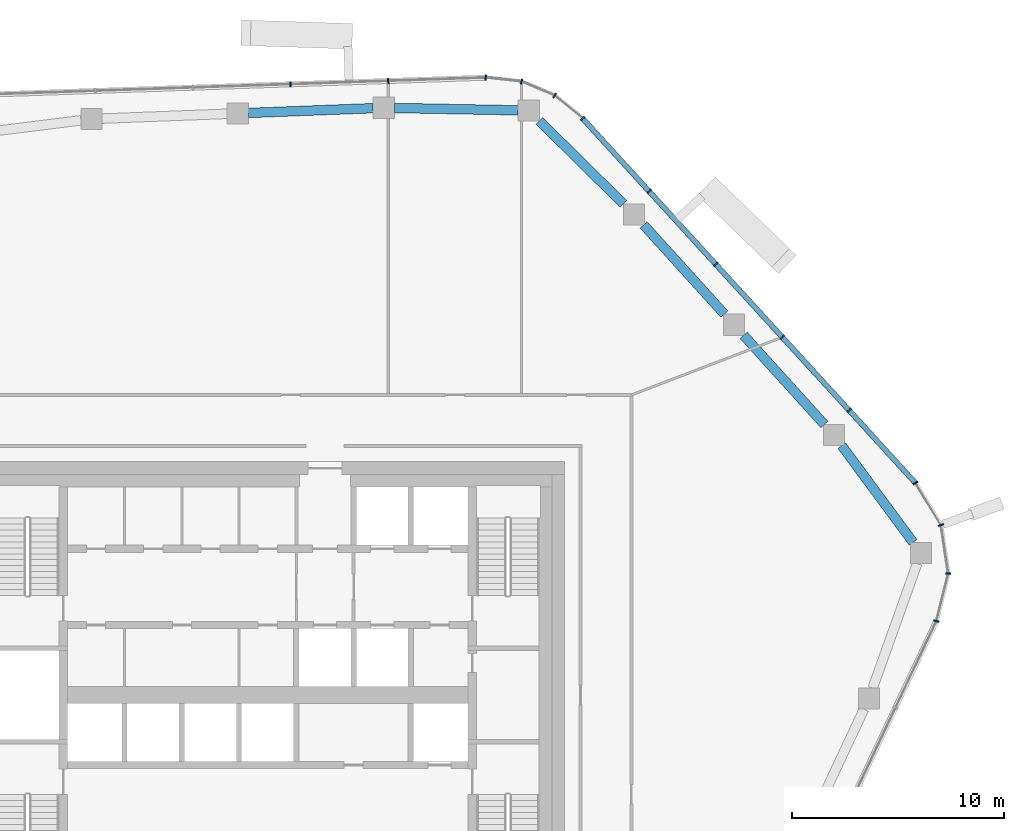
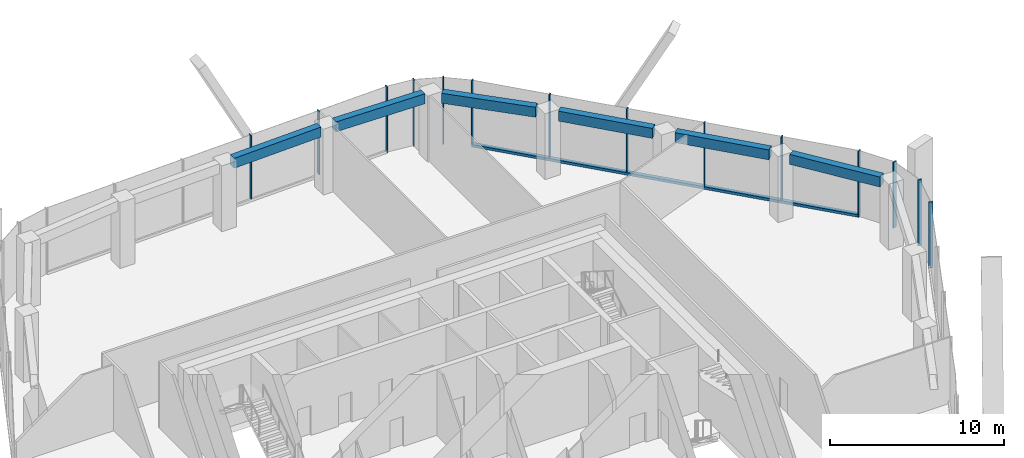
# One storey, part 7 of 20: 15 members, 6 beams, 4 elements without a shape of their own.
"""IFC4 building model written with IfcOpenShell, lengths in metres."""

from ifc_helpers import new_model, si_unit, direction, frame, origin, origin_2d, place, context, subcontext, project, spatial, rectangle, extrude, material, layer, layer_set, material_profile, profile_set, type_object, element, aggregate, save


model = new_model("IFC4")

# Units and contexts
model_context = context("Model", 3, precision=1e-05, world=origin(), true_north=direction((0.0, 1.0)))
body_context = subcontext(model_context, "Body", "Model", "MODEL_VIEW")
ifc_project = project(units=[si_unit("LENGTHUNIT", "METRE"), si_unit("AREAUNIT", "SQUARE_METRE"), si_unit("VOLUMEUNIT", "CUBIC_METRE"), si_unit("PLANEANGLEUNIT", "RADIAN"), si_unit("MASSUNIT", "GRAM", prefix="KILO")], contexts=[model_context])

# Site, building, storey
site_placement = place(None, origin())
site = spatial("IfcSite", under=ifc_project, at=site_placement, CompositionType="ELEMENT")
building_placement = place(site_placement, origin())
building = spatial("IfcBuilding", under=site, at=building_placement, Name="Dongbaek Canopy Tower", CompositionType="ELEMENT")
storey_placement = place(building_placement, frame((0.0, 0.0, 289.199951171875)))
storey = spatial("IfcBuildingStorey", under=building, at=storey_placement, Name="L61", CompositionType="ELEMENT", Elevation=289.199951171875)

# Curtain wall, members
ifc_material_1 = material(Name="Aluminium 6063-T6 pale anodised", Category="aluminium")
ifc_layer = layer(ifc_material_1, 0.25)
ifc_layer_set = layer_set([ifc_layer], Name="CW-4 sky-lobby curtain wall")
curtain_wall_type = type_object("IfcCurtainWallType", Name="CW-4 sky-lobby curtain wall", PredefinedType="NOTDEFINED", material=ifc_layer_set)
curtain_wall_1_placement = place(storey_placement, origin())
curtain_wall_1 = element("IfcCurtainWall", 1, at=curtain_wall_1_placement, inside=storey, type_object=curtain_wall_type, Name="CW-4 curtain wall K0.1", PredefinedType="NOTDEFINED")
ifc_material_2 = material(Name="Aluminium 6063-T6 pale anodised", Category="aluminium")
ifc_material_profile_1 = material_profile(ifc_material_2, rectangle(XDim=0.25, YDim=0.070068359375, at=origin_2d()), Name="CW-4 mullion 70 x 250")
ifc_profile_set_1 = profile_set([ifc_material_profile_1], Name="Aluminium 6063-T6 pale anodised")
member_type_1 = type_object("IfcMemberType", Name="CW-4 mullion 70 x 250", PredefinedType="MULLION", material=ifc_profile_set_1)
member_1_placement = place(storey_placement, frame((31.53271484375, 3.484375, 0.0), z_axis=(0.0, 0.0, 1.0), x_axis=(0.970361874221, -0.241656435998, 0.0)))
member_1 = element("IfcMember", 2, at=member_1_placement, type_object=member_type_1, Name="CW-4 mullion K0.1.1", PredefinedType="MULLION", context=body_context, shape_type="SweptSolid", body=[
    extrude(rectangle(XDim=0.25, YDim=0.070068359375, at=origin_2d()), origin(), (0.0, 0.0, 1.0), 4.6201171875),
])
member_2_placement = place(storey_placement, frame((32.092529296875, 5.732421875, 0.0), z_axis=(0.0, 0.0, 1.0), x_axis=(0.998883799828, -0.047235097565, 0.0)))
member_2 = element("IfcMember", 3, at=member_2_placement, type_object=member_type_1, Name="CW-4 mullion K0.1.2", PredefinedType="MULLION", context=body_context, shape_type="SweptSolid", body=[
    extrude(rectangle(XDim=0.25, YDim=0.070068359375, at=origin_2d()), origin(), (0.0, 0.0, 1.0), 4.6201171875),
])
member_3_placement = place(storey_placement, frame((31.748779296875, 8.013427734375, 0.0), z_axis=(0.0, 0.0, 1.0), x_axis=(0.940605469916, 0.339501619971, 0.0)))
member_3 = element("IfcMember", 4, at=member_3_placement, type_object=member_type_1, Name="CW-4 mullion K0.1.3", PredefinedType="MULLION", context=body_context, shape_type="SweptSolid", body=[
    extrude(rectangle(XDim=0.25, YDim=0.070068359375, at=origin_2d()), origin(), (0.0, 0.0, 1.0), 4.6201171875),
])
member_4_placement = place(storey_placement, frame((30.55126953125, 9.996826171875, 0.0), z_axis=(0.0, 0.0, 1.0), x_axis=(0.856055524699, 0.51688387345, 0.0)))
member_4 = element("IfcMember", 5, at=member_4_placement, type_object=member_type_1, Name="CW-4 mullion K0.1.4", PredefinedType="MULLION", context=body_context, shape_type="SweptSolid", body=[
    extrude(rectangle(XDim=0.25, YDim=0.070068359375, at=origin_2d()), origin(), (0.0, 0.0, 1.0), 4.6201171875),
])
aggregate(curtain_wall_1, [member_1, member_2, member_3, member_4])

curtain_wall_2_placement = place(storey_placement, origin())
curtain_wall_2 = element("IfcCurtainWall", 6, at=curtain_wall_2_placement, inside=storey, type_object=curtain_wall_type, Name="CW-4 curtain wall F0.1", PredefinedType="NOTDEFINED")
member_5_placement = place(storey_placement, frame((27.4150390625, 13.431396484375, 0.179931640625), z_axis=(0.0, 0.0, 1.0), x_axis=(0.738450573044, 0.674307608715, 0.0)))
member_5 = element("IfcMember", 7, at=member_5_placement, type_object=member_type_1, Name="CW-4 mullion F0.1.2", PredefinedType="MULLION", context=body_context, shape_type="SweptSolid", body=[
    extrude(rectangle(XDim=0.25, YDim=0.070068359375, at=origin_2d()), origin(), (0.0, 0.0, 1.0), 4.440185546875),
])
member_6_placement = place(storey_placement, frame((24.272216796875, 16.873291015625, 0.179931640625), z_axis=(0.0, 0.0, 1.0), x_axis=(0.738450573044, 0.674307608715, 0.0)))
member_6 = element("IfcMember", 8, at=member_6_placement, type_object=member_type_1, Name="CW-4 mullion F0.1.3", PredefinedType="MULLION", context=body_context, shape_type="SweptSolid", body=[
    extrude(rectangle(XDim=0.25, YDim=0.070068359375, at=origin_2d()), origin(), (0.0, 0.0, 1.0), 4.440185546875),
])
member_7_placement = place(storey_placement, frame((21.129150390625, 20.315185546875, 0.179931640625), z_axis=(0.0, 0.0, 1.0), x_axis=(0.738450573044, 0.674307608715, 0.0)))
member_7 = element("IfcMember", 9, at=member_7_placement, type_object=member_type_1, Name="CW-4 mullion F0.1.4", PredefinedType="MULLION", context=body_context, shape_type="SweptSolid", body=[
    extrude(rectangle(XDim=0.25, YDim=0.070068359375, at=origin_2d()), origin(), (0.0, 0.0, 1.0), 4.440185546875),
])
member_8_placement = place(storey_placement, frame((17.986328125, 23.757080078125, 0.179931640625), z_axis=(0.0, 0.0, 1.0), x_axis=(0.738450573044, 0.674307608715, 0.0)))
member_8 = element("IfcMember", 10, at=member_8_placement, type_object=member_type_1, Name="CW-4 mullion F0.1.5", PredefinedType="MULLION", context=body_context, shape_type="SweptSolid", body=[
    extrude(rectangle(XDim=0.25, YDim=0.070068359375, at=origin_2d()), origin(), (0.0, 0.0, 1.0), 4.440185546875),
])
member_9_placement = place(storey_placement, frame((14.84814453125, 27.193603515625, 0.179931640625), z_axis=(0.0, 0.0, 1.0), x_axis=(0.738450573044, 0.674307608715, 0.0)))
member_9 = element("IfcMember", 11, at=member_9_placement, type_object=member_type_1, Name="CW-4 mullion F0.1.6", PredefinedType="MULLION", context=body_context, shape_type="SweptSolid", body=[
    extrude(rectangle(XDim=0.25, YDim=0.070068359375, at=origin_2d()), origin(), (0.0, 0.0, 1.0), 4.440185546875),
])

curtain_wall_3_placement = place(storey_placement, origin())
curtain_wall_3 = element("IfcCurtainWall", 12, at=curtain_wall_3_placement, inside=storey, type_object=curtain_wall_type, Name="CW-4 curtain wall K1.1", PredefinedType="NOTDEFINED")
member_10_placement = place(storey_placement, frame((13.5322265625, 28.2724609375, 0.0), z_axis=(0.0, 0.0, 1.0), x_axis=(0.51631011861, 0.856401693962, 0.0)))
member_10 = element("IfcMember", 13, at=member_10_placement, type_object=member_type_1, Name="CW-4 mullion K1.1.2", PredefinedType="MULLION", context=body_context, shape_type="SweptSolid", body=[
    extrude(rectangle(XDim=0.25, YDim=0.070068359375, at=origin_2d()), origin(), (0.0, 0.0, 1.0), 4.6201171875),
])
member_11_placement = place(storey_placement, frame((11.970458984375, 28.929931640625, 0.0), z_axis=(0.0, 0.0, 1.0), x_axis=(0.251571685065, 0.967838667999, 0.0)))
member_11 = element("IfcMember", 14, at=member_11_placement, type_object=member_type_1, Name="CW-4 mullion K1.1.3", PredefinedType="MULLION", context=body_context, shape_type="SweptSolid", body=[
    extrude(rectangle(XDim=0.25, YDim=0.070068359375, at=origin_2d()), origin(), (0.0, 0.0, 1.0), 4.6201171875),
])
member_12_placement = place(storey_placement, frame((10.279052734375, 29.116943359375, 0.0), z_axis=(0.0, 0.0, 1.0), x_axis=(0.10996453496, 0.993935511515, 0.0)))
member_12 = element("IfcMember", 15, at=member_12_placement, type_object=member_type_1, Name="CW-4 mullion K1.1.4", PredefinedType="MULLION", context=body_context, shape_type="SweptSolid", body=[
    extrude(rectangle(XDim=0.25, YDim=0.070068359375, at=origin_2d()), origin(), (0.0, 0.0, 1.0), 4.6201171875),
])
aggregate(curtain_wall_3, [member_10, member_11, member_12])

curtain_wall_4_placement = place(storey_placement, origin())
curtain_wall_4 = element("IfcCurtainWall", 16, at=curtain_wall_4_placement, inside=storey, type_object=curtain_wall_type, Name="CW-4 curtain wall F1.1", PredefinedType="NOTDEFINED")
member_13_placement = place(storey_placement, frame((5.681640625, 28.9609375, 0.179931640625), z_axis=(0.0, 0.0, 1.0), x_axis=(-0.033922579131, 0.999424463692, 0.0)))
member_13 = element("IfcMember", 17, at=member_13_placement, type_object=member_type_1, Name="CW-4 mullion F1.1.2", PredefinedType="MULLION", context=body_context, shape_type="SweptSolid", body=[
    extrude(rectangle(XDim=0.25, YDim=0.070068359375, at=origin_2d()), origin(), (0.0, 0.0, 1.0), 4.440185546875),
])
member_14_placement = place(storey_placement, frame((1.076904296875, 28.8046875, 0.179931640625), z_axis=(0.0, 0.0, 1.0), x_axis=(-0.033922579131, 0.999424463692, 0.0)))
member_14 = element("IfcMember", 18, at=member_14_placement, type_object=member_type_1, Name="CW-4 mullion F1.1.3", PredefinedType="MULLION", context=body_context, shape_type="SweptSolid", body=[
    extrude(rectangle(XDim=0.25, YDim=0.070068359375, at=origin_2d()), origin(), (0.0, 0.0, 1.0), 4.440185546875),
])
aggregate(curtain_wall_4, [member_13, member_14])

# Member
ifc_material_3 = material(Name="Aluminium 6063-T6 pale anodised", Category="aluminium")
ifc_material_profile_2 = material_profile(ifc_material_3, rectangle(XDim=0.25, YDim=0.179931640625, at=origin_2d()), Name="CW-4 transom 180 x 250")
ifc_profile_set_2 = profile_set([ifc_material_profile_2], Name="Aluminium 6063-T6 pale anodised")
member_type_2 = type_object("IfcMemberType", Name="CW-4 transom 180 x 250", PredefinedType="USERDEFINED", material=ifc_profile_set_2)
member_15_placement = place(storey_placement, frame((30.55126953125, 9.996826171875, 0.090087890625), z_axis=(-0.67430963328, 0.738448724331, 0.0), x_axis=(-0.738448724331, -0.67430963328, 0.0)))
member_15 = element("IfcMember", 19, at=member_15_placement, type_object=member_type_2, Name="CW-4 transom F0.1.1", ObjectType="TRANSOM", PredefinedType="USERDEFINED", context=body_context, shape_type="SweptSolid", body=[
    extrude(rectangle(XDim=0.25, YDim=0.179931640625, at=origin_2d()), origin(), (0.0, 0.0, 1.0), 23.28759765625),
])

aggregate(curtain_wall_2, [member_5, member_6, member_7, member_8, member_9, member_15])

# Beams
ifc_material_4 = material(Name="Concrete C60", Category="concrete")
ifc_material_profile_3 = material_profile(ifc_material_4, rectangle(XDim=0.449951171875, YDim=0.699951171875, at=origin_2d()), Name="RC EDGE BEAM 450x700 C60")
ifc_profile_set_3 = profile_set([ifc_material_profile_3], Name="Concrete C60")
beam_type = type_object("IfcBeamType", Name="RC EDGE BEAM 450x700 C60", PredefinedType="BEAM", material=ifc_profile_set_3)
beam_1_placement = place(storey_placement, frame((-0.91796875, 27.447265625, 4.27001953125), z_axis=(0.999267098379, 0.038278794366, 0.0), x_axis=(-0.038278794366, 0.999267098379, 0.0)))
element("IfcBeam", 20, at=beam_1_placement, inside=storey, type_object=beam_type, Name="EDGEBEAM:L61:15", PredefinedType="BEAM", context=body_context, shape_type="SweptSolid", body=[
    extrude(rectangle(XDim=0.449951171875, YDim=0.699951171875, at=origin_2d()), origin(), (0.0, 0.0, 1.0), 5.893310546875),
])
beam_2_placement = place(storey_placement, frame((5.970947265625, 27.6826171875, 4.27001953125), z_axis=(0.99982249395, -0.018840928625, 0.0), x_axis=(0.018840928625, 0.99982249395, 0.0)))
element("IfcBeam", 21, at=beam_2_placement, inside=storey, type_object=beam_type, Name="EDGEBEAM:L61:16", PredefinedType="BEAM", context=body_context, shape_type="SweptSolid", body=[
    extrude(rectangle(XDim=0.449951171875, YDim=0.699951171875, at=origin_2d()), origin(), (0.0, 0.0, 1.0), 5.843994140625),
])
beam_3_placement = place(storey_placement, frame((12.81396484375, 27.069580078125, 4.27001953125), z_axis=(0.711740530271, -0.702442465665, 0.0), x_axis=(0.702442465665, 0.711740530271, 0.0)))
element("IfcBeam", 22, at=beam_3_placement, inside=storey, type_object=beam_type, Name="EDGEBEAM:L61:17", PredefinedType="BEAM", context=body_context, shape_type="SweptSolid", body=[
    extrude(rectangle(XDim=0.449951171875, YDim=0.699951171875, at=origin_2d()), origin(), (0.0, 0.0, 1.0), 5.56640625),
])
beam_4_placement = place(storey_placement, frame((17.72900390625, 22.166015625, 4.27001953125), z_axis=(0.67133921348, -0.741150227986, 0.0), x_axis=(0.741150227986, 0.67133921348, 0.0)))
element("IfcBeam", 23, at=beam_4_placement, inside=storey, type_object=beam_type, Name="EDGEBEAM:L61:18", PredefinedType="BEAM", context=body_context, shape_type="SweptSolid", body=[
    extrude(rectangle(XDim=0.449951171875, YDim=0.699951171875, at=origin_2d()), origin(), (0.0, 0.0, 1.0), 5.67236328125),
])
beam_5_placement = place(storey_placement, frame((22.442626953125, 16.9619140625, 4.27001953125), z_axis=(0.671227680473, -0.741251240112, 0.0), x_axis=(0.741251240112, 0.671227680473, 0.0)))
element("IfcBeam", 24, at=beam_5_placement, inside=storey, type_object=beam_type, Name="EDGEBEAM:L61:19", PredefinedType="BEAM", context=body_context, shape_type="SweptSolid", body=[
    extrude(rectangle(XDim=0.449951171875, YDim=0.699951171875, at=origin_2d()), origin(), (0.0, 0.0, 1.0), 5.672607421875),
])
beam_6_placement = place(storey_placement, frame((27.072021484375, 11.757080078125, 4.27001953125), z_axis=(0.593735402363, -0.804660345724, 0.0), x_axis=(0.804660345724, 0.593735402363, 0.0)))
element("IfcBeam", 25, at=beam_6_placement, inside=storey, type_object=beam_type, Name="EDGEBEAM:L61:20", PredefinedType="BEAM", context=body_context, shape_type="SweptSolid", body=[
    extrude(rectangle(XDim=0.449951171875, YDim=0.699951171875, at=origin_2d()), origin(), (0.0, 0.0, 1.0), 5.665771484375),
])

save(model, "model.ifc")
